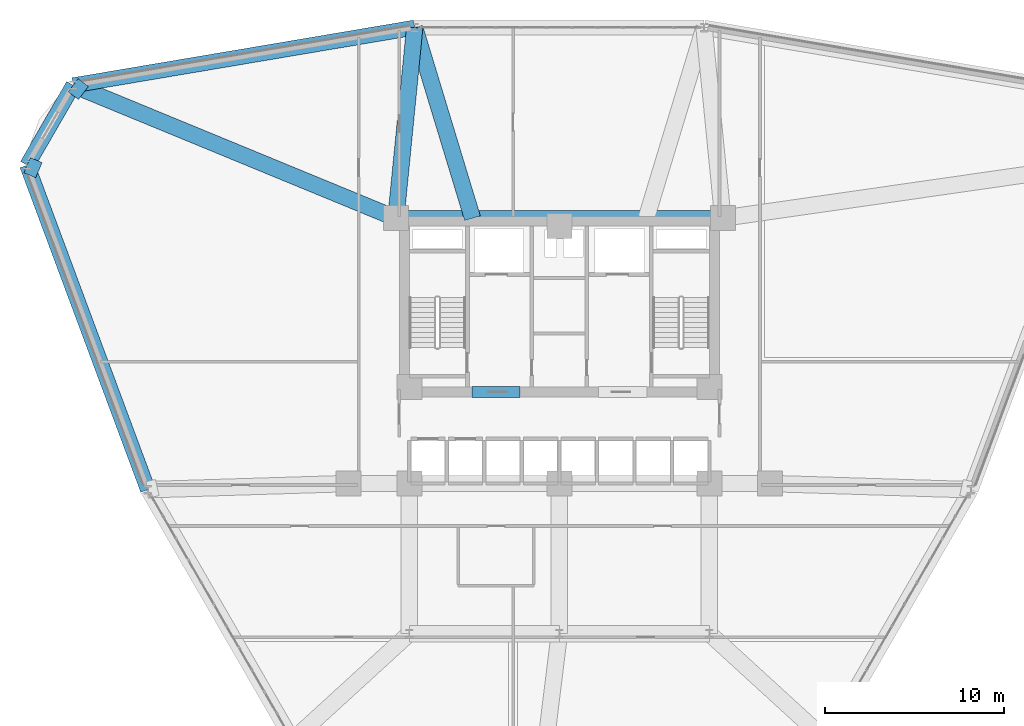
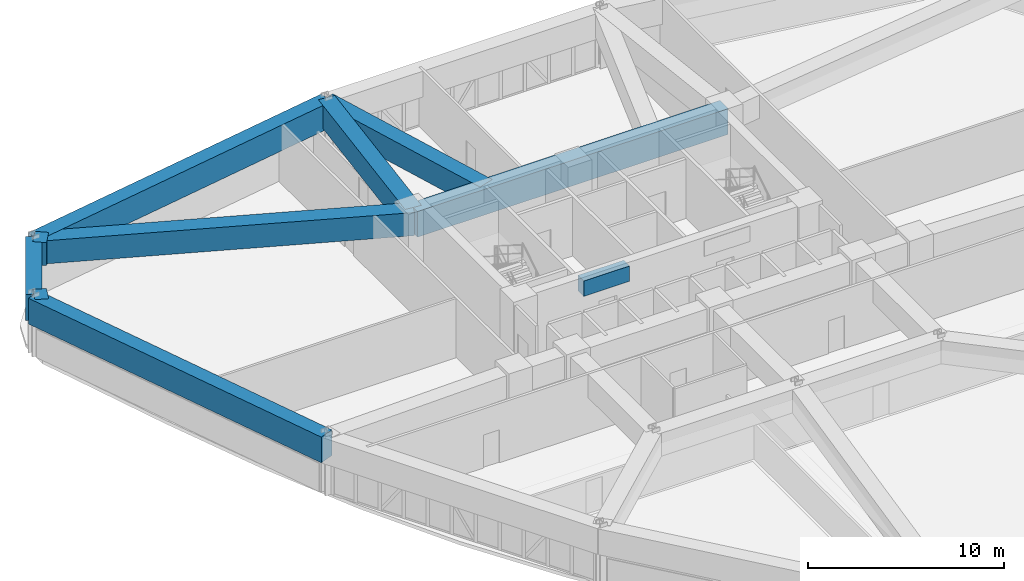
# One storey, part 10 of 20: 10 beams.
"""IFC4 building model written with IfcOpenShell, lengths in metres."""

from ifc_helpers import new_model, si_unit, derived_unit, direction, frame, origin, origin_2d, place, context, subcontext, project, spatial, rectangle, extrude, source, transform, mapped, material, material_profile, profile_set, type_object, element, save


model = new_model("IFC4")

# Units and contexts
model_context = context("Model", 3, precision=1e-05, world=origin(), true_north=direction((0.0, 1.0)))
body_context = subcontext(model_context, "Body", "Model", "MODEL_VIEW")
ifc_project = project(units=[si_unit("LENGTHUNIT", "METRE"), si_unit("AREAUNIT", "SQUARE_METRE"), si_unit("VOLUMEUNIT", "CUBIC_METRE"), si_unit("PLANEANGLEUNIT", "RADIAN"), si_unit("MASSUNIT", "GRAM", prefix="KILO"), derived_unit("THERMALTRANSMITTANCEUNIT", [(si_unit("POWERUNIT", "WATT"), 1), (si_unit("LENGTHUNIT", "METRE"), -2), (si_unit("THERMODYNAMICTEMPERATUREUNIT", "KELVIN"), -1)])], contexts=[model_context])

# Site, building, storey
site_placement = place(None, origin())
site = spatial("IfcSite", under=ifc_project, at=site_placement, CompositionType="ELEMENT")
building_placement = place(site_placement, origin())
building = spatial("IfcBuilding", under=site, at=building_placement, Name="Korsvarv Bourse and Concert Hall", CompositionType="ELEMENT")
storey_placement = place(building_placement, frame((0.0, 0.0, 31.800048828125)))
storey = spatial("IfcBuildingStorey", under=building, at=storey_placement, Name="L07", CompositionType="ELEMENT", Elevation=31.800048828125)

# Beams
ifc_material_1 = material(Name="Concrete C55/67", Category="concrete")
ifc_material_profile_1 = material_profile(ifc_material_1, rectangle(XDim=0.60009765625, YDim=0.949951171875, at=origin_2d()), Name="RC-BM 600x950")
ifc_profile_set_1 = profile_set([ifc_material_profile_1], Name="Concrete C55/67")
beam_type_1 = type_object("IfcBeamType", Name="BM-CPL", PredefinedType="LINTEL", material=ifc_profile_set_1)
shared_shape_1 = source(origin(), body_context, "Body", "SweptSolid", [
    extrude(rectangle(XDim=0.60009765625, YDim=0.949951171875, at=origin_2d()), origin(), (0.0, 0.0, 1.0), 2.699951171875),
])
beam_1_placement = place(storey_placement, frame((31.10009765625, 37.52490234375, 3.204833984375), z_axis=(1.0, 0.0, 0.0), x_axis=(0.0, 1.0, 0.0)))
element("IfcBeam", 1, at=beam_1_placement, inside=storey, type_object=beam_type_1, Name="L07 Core Coupling Beam West", PredefinedType="LINTEL", context=body_context, shape_type="MappedRepresentation", body=[
    mapped(shared_shape_1, transform((0.0, 0.0, 0.0), scale=1.0)),
])
ifc_material_profile_2 = material_profile(ifc_material_1, rectangle(XDim=0.85009765625, YDim=1.60009765625, at=origin_2d()), Name="RC-BM 850x1600")
ifc_profile_set_2 = profile_set([ifc_material_profile_2], Name="Concrete C55/67")
beam_type_2 = type_object("IfcBeamType", Name="BM-TR1B", PredefinedType="BEAM", material=ifc_profile_set_2)
shared_shape_2 = source(origin(), body_context, "Body", "SweptSolid", [
    extrude(rectangle(XDim=0.85009765625, YDim=1.60009765625, at=origin_2d()), origin(), (0.0, 0.0, 1.0), 18.2998046875),
])
beam_2_placement = place(storey_placement, frame((26.85009765625, 47.25, 2.8798828125), z_axis=(1.0, 0.0, 0.0), x_axis=(0.0, 1.0, 0.0)))
element("IfcBeam", 2, at=beam_2_placement, inside=storey, type_object=beam_type_2, Name="L07 beam B-TR2", PredefinedType="BEAM", context=body_context, shape_type="MappedRepresentation", body=[
    mapped(shared_shape_2, transform((0.0, 0.0, 0.0), scale=1.0)),
])
shared_shape_3 = source(origin(), body_context, "Body", "SweptSolid", [
    extrude(rectangle(XDim=0.85009765625, YDim=1.60009765625, at=origin_2d()), origin(), (0.0, 0.0, 1.0), 5.16357421875),
])
beam_3_placement = place(storey_placement, frame((8.793212890625, 54.689208984375, 2.8798828125), z_axis=(-0.499988479627, -0.866032054973, 0.0), x_axis=(0.866032054973, -0.499988479627, 0.0)))
element("IfcBeam", 3, at=beam_3_placement, inside=storey, type_object=beam_type_2, Name="L07 beam B-TR2", PredefinedType="BEAM", context=body_context, shape_type="MappedRepresentation", body=[
    mapped(shared_shape_3, transform((0.0, 0.0, 0.0), scale=1.0)),
])
shared_shape_4 = source(origin(), body_context, "Body", "SweptSolid", [
    extrude(rectangle(XDim=0.85009765625, YDim=1.60009765625, at=origin_2d()), origin(), (0.0, 0.0, 1.0), 19.380126953125),
])
beam_4_placement = place(storey_placement, frame((27.902587890625, 57.9169921875, 2.8798828125), z_axis=(-0.986032714871, -0.166551749327, 0.0), x_axis=(0.166551749327, -0.986032714871, 0.0)))
element("IfcBeam", 4, at=beam_4_placement, inside=storey, type_object=beam_type_2, Name="L07 beam B-TR2", PredefinedType="BEAM", context=body_context, shape_type="MappedRepresentation", body=[
    mapped(shared_shape_4, transform((0.0, 0.0, 0.0), scale=1.0)),
])
shared_shape_5 = source(origin(), body_context, "Body", "SweptSolid", [
    extrude(rectangle(XDim=0.85009765625, YDim=1.60009765625, at=origin_2d()), origin(), (0.0, 0.0, 1.0), 19.3798828125),
])
beam_5_placement = place(storey_placement, frame((6.21142578125, 50.21728515625, 2.8798828125), z_axis=(0.348764335055, -0.937210455871, 0.0), x_axis=(0.937210455871, 0.348764335055, 0.0)))
element("IfcBeam", 5, at=beam_5_placement, inside=storey, type_object=beam_type_2, Name="L07 beam B-TR2", PredefinedType="BEAM", context=body_context, shape_type="MappedRepresentation", body=[
    mapped(shared_shape_5, transform((0.0, 0.0, 0.0), scale=1.0)),
])
ifc_material_2 = material(Name="Concrete C50/60", Category="concrete")
ifc_material_profile_3 = material_profile(ifc_material_2, rectangle(XDim=0.919921875, YDim=1.43994140625, at=origin_2d()), Name="RC-BM 920x1440")
ifc_profile_set_3 = profile_set([ifc_material_profile_3], Name="Concrete C50/60")
beam_type_3 = type_object("IfcBeamType", Name="BM-TR-144", PredefinedType="BEAM", material=ifc_profile_set_3)
shared_shape_6 = source(origin(), body_context, "Body", "SweptSolid", [
    extrude(rectangle(XDim=0.919921875, YDim=1.43994140625, at=origin_2d()), origin(), (0.0, 0.0, 1.0), 10.71875),
])
beam_6_placement = place(storey_placement, frame((27.902587890625, 57.9169921875, 2.9599609375), z_axis=(-0.098191142764, -0.995167573569, 0.0), x_axis=(0.995167573569, -0.098191142764, 0.0)))
element("IfcBeam", 6, at=beam_6_placement, inside=storey, type_object=beam_type_3, Name="L07 beam B-TR4", PredefinedType="BEAM", context=body_context, shape_type="MappedRepresentation", body=[
    mapped(shared_shape_6, transform((0.0, 0.0, 0.0), scale=1.0)),
])
shared_shape_7 = source(origin(), body_context, "Body", "SweptSolid", [
    extrude(rectangle(XDim=0.919921875, YDim=1.43994140625, at=origin_2d()), origin(), (0.0, 0.0, 1.0), 19.529296875),
])
beam_7_placement = place(storey_placement, frame((8.793212890625, 54.689208984375, 2.9599609375), z_axis=(0.924605589209, -0.380925851581, 0.0), x_axis=(0.380925851581, 0.924605589209, 0.0)))
element("IfcBeam", 7, at=beam_7_placement, inside=storey, type_object=beam_type_3, Name="L07 beam B-TR4", PredefinedType="BEAM", context=body_context, shape_type="MappedRepresentation", body=[
    mapped(shared_shape_7, transform((0.0, 0.0, 0.0), scale=1.0)),
])
shared_shape_8 = source(origin(), body_context, "Body", "SweptSolid", [
    extrude(rectangle(XDim=0.919921875, YDim=1.43994140625, at=origin_2d()), origin(), (0.0, 0.0, 1.0), 0.71484375),
])
for number, where, z_axis, x_axis, name in (
    (8, (8.793212890625, 54.689208984375, 2.9599609375), (0.796833023898, -0.60419957963, 0.0), (0.60419957963, 0.796833023898, 0.0), "L07 beam B-TR4"),
    (9, (6.21142578125, 50.21728515625, 2.9599609375), (0.921513173627, -0.388347100969, 0.0), (0.388347100969, 0.921513173627, 0.0), "L07 beam B-TR4"),
):
    element("IfcBeam", number, at=place(storey_placement, frame(where, z_axis=z_axis, x_axis=x_axis)), inside=storey, type_object=beam_type_3, Name=name, PredefinedType="BEAM", context=body_context, shape_type="MappedRepresentation", body=[
        mapped(shared_shape_8, transform((0.0, 0.0, 0.0), scale=1.0)),
    ])
shared_shape_9 = source(origin(), body_context, "Body", "SweptSolid", [
    extrude(rectangle(XDim=0.919921875, YDim=1.43994140625, at=origin_2d()), origin(), (0.0, 0.0, 1.0), 11.14697265625),
])
beam_8_placement = place(storey_placement, frame((27.902587890625, 57.9169921875, 2.9599609375), z_axis=(0.2902681647, -0.956945344605, 0.0), x_axis=(0.956945344605, 0.2902681647, 0.0)))
element("IfcBeam", 10, at=beam_8_placement, inside=storey, type_object=beam_type_3, Name="L07 beam B-TR4", PredefinedType="BEAM", context=body_context, shape_type="MappedRepresentation", body=[
    mapped(shared_shape_9, transform((0.0, 0.0, 0.0), scale=1.0)),
])

save(model, "model.ifc")
